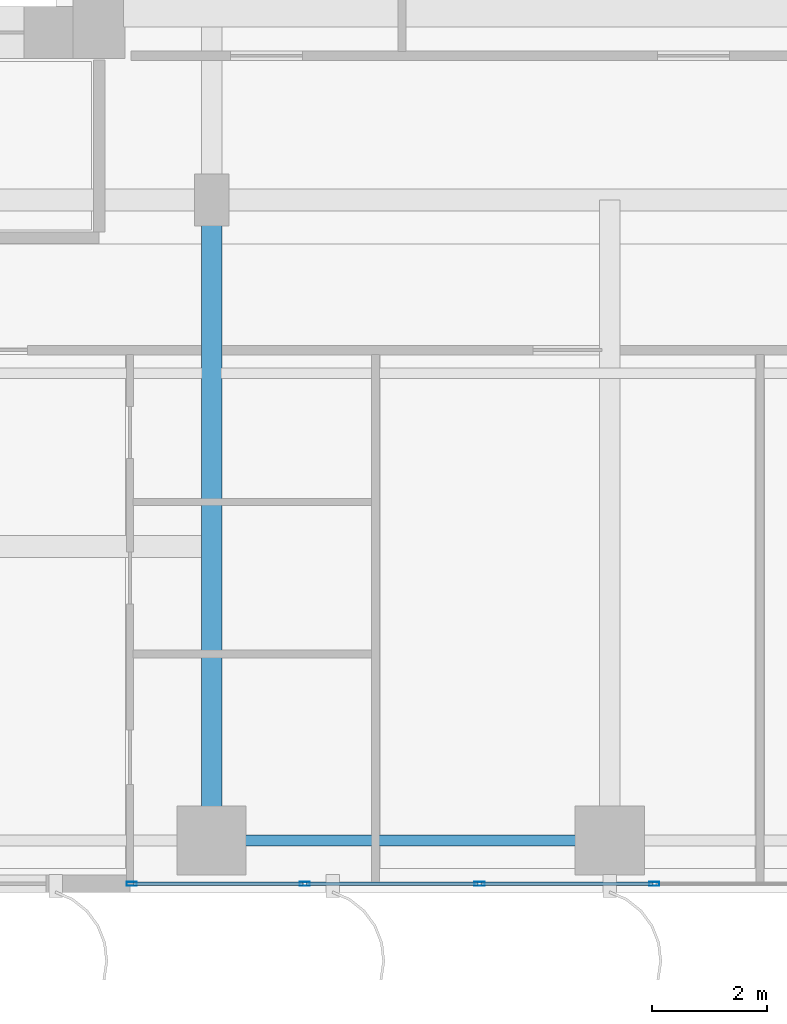
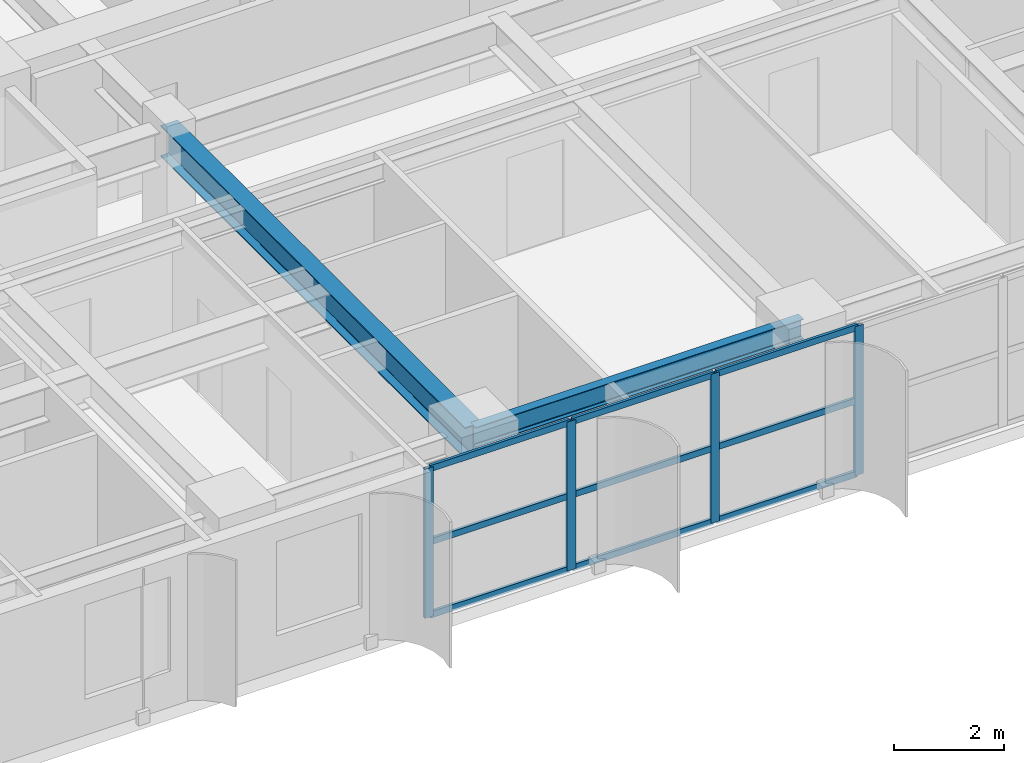
# One storey, part 2 of 23: 13 members, 2 beams, 1 element without a shape of its own.
"""IFC4 building model written with IfcOpenShell, lengths in metres."""

import ifcopenshell
import ifcopenshell.guid

model = None  # the IFC model being written
_history = None  # IfcOwnerHistory: only IFC2X3 demands one
_inside = {}  # id of a spatial element -> (the spatial element, [elements in it])
_under = {}  # id of a project, library or spatial element -> (it, [spatial elements below it])
_declared = {}  # id of a project -> (the project, [libraries it declares])
_typed = {}  # id of a type object -> (the type object, [elements of that type])
_made_of = {}  # id of a material, layer set ... -> (it, [elements and type objects made of it])


def new_model(schema):
    """Start an empty IFC model of exactly this schema.

    Asked for "IFC4X3", IfcOpenShell would pick the latest addendum, in which some entities
    have other attributes; the version numbers below select the first issue.
    IFC2X3 requires an IfcOwnerHistory on every rooted entity: one is made here for all.
    """
    global model, _history
    if schema == "IFC4X3":
        model = ifcopenshell.file(schema_version=(4, 3, 0, 0))
    else:
        model = ifcopenshell.file(schema=schema)
    _inside.clear()
    _under.clear()
    _declared.clear()
    _typed.clear()
    _made_of.clear()
    _history = None
    if model.schema == "IFC2X3":
        org = make("IfcOrganization", Name="unknown")
        user = make(
            "IfcPersonAndOrganization",
            ThePerson=make("IfcPerson", FamilyName="unknown"),
            TheOrganization=org,
        )
        app = make(
            "IfcApplication",
            ApplicationDeveloper=org,
            Version="unknown",
            ApplicationFullName="unknown",
            ApplicationIdentifier="unknown",
        )
        _history = make(
            "IfcOwnerHistory",
            OwningUser=user,
            OwningApplication=app,
            ChangeAction="ADDED",
            CreationDate=0,
        )
    return model


def make(cls, **values):
    """One entity of the class cls with the attributes given. An attribute that is None is left unset."""
    return model.create_entity(
        cls, **{name: value for name, value in values.items() if value is not None}
    )


def rooted(cls, **values):
    """An entity with a GlobalId (a new one), such as an element, a storey or a relation."""
    return make(cls, GlobalId=ifcopenshell.guid.new(), OwnerHistory=_history, **values)


def si_unit(unit_type, name, prefix=None):
    """IfcSIUnit, for example si_unit("LENGTHUNIT", "METRE", prefix="MILLI")."""
    return make("IfcSIUnit", UnitType=unit_type, Prefix=prefix, Name=name)


def assignment(units):
    """IfcUnitAssignment: the units of a project."""
    return None if units is None else make("IfcUnitAssignment", Units=units)


def point(xyz):
    """IfcCartesianPoint."""
    return None if xyz is None else make("IfcCartesianPoint", Coordinates=xyz)


def direction(xyz):
    """IfcDirection."""
    return None if xyz is None else make("IfcDirection", DirectionRatios=xyz)


def frame(location, z_axis=None, x_axis=None):
    """IfcAxis2Placement3D, a coordinate frame: its origin and axes. An axis left out is left unset."""
    return make(
        "IfcAxis2Placement3D",
        Location=point(location),
        Axis=direction(z_axis),
        RefDirection=direction(x_axis),
    )


def frame_2d(location, x_axis=None):
    """IfcAxis2Placement2D, a coordinate frame in the plane: its origin and x axis."""
    return make(
        "IfcAxis2Placement2D", Location=point(location), RefDirection=direction(x_axis)
    )


def origin():
    """The frame at (0, 0, 0) with its axes left unset."""
    return frame((0.0, 0.0, 0.0))


def origin_2d():
    """The frame at (0, 0) in the plane with its x axis left unset."""
    return frame_2d((0.0, 0.0))


def place(relative_to, where):
    """IfcLocalPlacement: puts the frame where relative to a parent placement (None: the world)."""
    return make(
        "IfcLocalPlacement", PlacementRelTo=relative_to, RelativePlacement=where
    )


def context(
    kind, dimensions, precision=None, world=None, true_north=None, identifier=None
):
    """IfcGeometricRepresentationContext, for example the 3D "Model" context."""
    return make(
        "IfcGeometricRepresentationContext",
        ContextIdentifier=identifier,
        ContextType=kind,
        CoordinateSpaceDimension=dimensions,
        Precision=precision,
        WorldCoordinateSystem=world,
        TrueNorth=true_north,
    )


def subcontext(parent, identifier, kind, view, scale=None):
    """IfcGeometricRepresentationSubContext, for example "Body" below "Model"."""
    return make(
        "IfcGeometricRepresentationSubContext",
        ContextIdentifier=identifier,
        ContextType=kind,
        ParentContext=parent,
        TargetScale=scale,
        TargetView=view,
    )


def project(units=None, contexts=None):
    """IfcProject with its units and contexts."""
    return rooted(
        "IfcProject",
        Name="project",
        RepresentationContexts=contexts,
        UnitsInContext=assignment(units),
    )


def spatial(cls, under=None, at=None, **own):
    """A site, building, storey or space (cls), placed at a placement, below another one or the project."""
    s = rooted(cls, ObjectPlacement=at, **own)
    if under is not None:
        _under.setdefault(under.id(), (under, []))[1].append(s)
    return s


def profile(cls, at=None, kind="AREA", **sizes):
    """A parametric profile (cls). Its sizes go by their IFC names, for example OverallWidth=200.0."""
    return make(cls, ProfileType=kind, Position=at, **sizes)


def hollow_rectangle(**sizes):
    """IfcRectangleHollowProfileDef."""
    return profile("IfcRectangleHollowProfileDef", **sizes)


def i_section(**sizes):
    """IfcIShapeProfileDef."""
    return profile("IfcIShapeProfileDef", **sizes)


def extrude(swept, where, along, depth):
    """IfcExtrudedAreaSolid: the profile swept, set in the frame where, extruded along a direction by depth."""
    return make(
        "IfcExtrudedAreaSolid",
        SweptArea=swept,
        Position=where,
        ExtrudedDirection=direction(along),
        Depth=depth,
    )


def shape(context_of_items, identifier, shape_type, items):
    """IfcShapeRepresentation: the items that make up one representation, for example the "Body"."""
    return make(
        "IfcShapeRepresentation",
        ContextOfItems=context_of_items,
        RepresentationIdentifier=identifier,
        RepresentationType=shape_type,
        Items=items,
    )


def source(mapping_origin, context_of_items, identifier, shape_type, items):
    """IfcRepresentationMap: a shape defined once, which mapped items show again and again."""
    return make(
        "IfcRepresentationMap",
        MappingOrigin=mapping_origin,
        MappedRepresentation=shape(context_of_items, identifier, shape_type, items),
    )


def transform(
    local_origin,
    x_axis=None,
    y_axis=None,
    z_axis=None,
    scale=None,
    scale2=None,
    scale3=None,
    uniform=True,
):
    """IfcCartesianTransformationOperator3D, or its non-uniform kind. x_axis, y_axis, z_axis: its Axis1, 2, 3."""
    if uniform:
        return make(
            "IfcCartesianTransformationOperator3D",
            Axis1=direction(x_axis),
            Axis2=direction(y_axis),
            LocalOrigin=point(local_origin),
            Scale=scale,
            Axis3=direction(z_axis),
        )
    return make(
        "IfcCartesianTransformationOperator3DnonUniform",
        Axis1=direction(x_axis),
        Axis2=direction(y_axis),
        LocalOrigin=point(local_origin),
        Scale=scale,
        Axis3=direction(z_axis),
        Scale2=scale2,
        Scale3=scale3,
    )


def mapped(mapping_source, mapping_target):
    """IfcMappedItem: shows the shape of a source again, moved by a transform."""
    return make(
        "IfcMappedItem", MappingSource=mapping_source, MappingTarget=mapping_target
    )


def material(Name=None, Category=None):
    """IfcMaterial."""
    return make("IfcMaterial", Name=Name, Category=Category)


def layer(
    of_material, thickness, ventilated=None, Name=None, Category=None, Priority=None
):
    """IfcMaterialLayer: one layer of a wall or slab, of a material (None: an air gap)."""
    return make(
        "IfcMaterialLayer",
        Material=of_material,
        LayerThickness=thickness,
        IsVentilated=ventilated,
        Name=Name,
        Category=Category,
        Priority=Priority,
    )


def layer_set(layers, Name=None):
    """IfcMaterialLayerSet."""
    return make("IfcMaterialLayerSet", MaterialLayers=layers, LayerSetName=Name)


def material_profile(
    of_material, cross_section, Name=None, Category=None, Priority=None
):
    """IfcMaterialProfile: a cross section and its material."""
    return make(
        "IfcMaterialProfile",
        Name=Name,
        Material=of_material,
        Profile=cross_section,
        Priority=Priority,
        Category=Category,
    )


def profile_set(profiles, Name=None, composite=None):
    """IfcMaterialProfileSet."""
    return make(
        "IfcMaterialProfileSet",
        Name=Name,
        MaterialProfiles=profiles,
        CompositeProfile=composite,
    )


def made_of(thing, what):
    """Note that an element or type object is made of a material, layer set ...; save() writes the relation."""
    if what is not None:
        _made_of.setdefault(what.id(), (what, []))[1].append(thing)
    return thing


def type_object(cls, material=None, **own):
    """A type object (cls), such as IfcWallType, which elements share."""
    return made_of(rooted(cls, **own), material)


def element(
    cls,
    number,
    at=None,
    inside=None,
    cuts=None,
    type_object=None,
    material=None,
    context=None,
    identifier="Body",
    shape_type=None,
    held_by="IfcProductDefinitionShape",
    body=None,
    shapes=None,
    **own,
):
    """One element of the class cls, such as IfcWall. Its Tag is "e" and its number.

    at: its placement. inside: the storey or other place that contains it. cuts: it is an
    opening in that element (IfcRelVoidsElement). A single representation is given by context,
    identifier, shape_type and body (its items); several are given by shapes. held_by: the class
    of the entity that holds the representations. save() writes the other relations.
    """
    e = rooted(cls, Tag="e%d" % number, ObjectPlacement=at, **own)
    if body is not None:
        shapes = [shape(context, identifier, shape_type, body)]
    if shapes is not None:
        e.Representation = make(held_by, Representations=shapes)
    if inside is not None:
        _inside.setdefault(inside.id(), (inside, []))[1].append(e)
    if cuts is not None:
        rooted(
            "IfcRelVoidsElement", RelatingBuildingElement=cuts, RelatedOpeningElement=e
        )
    if type_object is not None:
        _typed.setdefault(type_object.id(), (type_object, []))[1].append(e)
    return made_of(e, material)


def aggregate(whole, parts):
    """IfcRelAggregates: a whole, such as a stair, and the parts it consists of."""
    return rooted("IfcRelAggregates", RelatingObject=whole, RelatedObjects=parts)


def save(model, path):
    """Write the relations noted so far, then the file.

    IfcRelAggregates (storeys below a building ...), IfcRelContainedInSpatialStructure (elements
    in a storey), IfcRelDefinesByType, IfcRelAssociatesMaterial and IfcRelDeclares: one each for
    every whole, place, type object, material and project.
    """
    for whole, parts in _under.values():
        aggregate(whole, parts)
    for where, things in _inside.values():
        rooted(
            "IfcRelContainedInSpatialStructure",
            RelatedElements=things,
            RelatingStructure=where,
        )
    for kind, things in _typed.values():
        rooted("IfcRelDefinesByType", RelatedObjects=things, RelatingType=kind)
    for what, things in _made_of.values():
        rooted("IfcRelAssociatesMaterial", RelatedObjects=things, RelatingMaterial=what)
    for by, libraries in _declared.values():
        rooted("IfcRelDeclares", RelatingContext=by, RelatedDefinitions=libraries)
    model.write(path)


model = new_model("IFC4")

# Units and contexts
model_context = context("Model", 3, precision=1e-05, world=origin(), true_north=direction((0.0, 1.0)))
body_context = subcontext(model_context, "Body", "Model", "MODEL_VIEW")
ifc_project = project(units=[si_unit("LENGTHUNIT", "METRE"), si_unit("AREAUNIT", "SQUARE_METRE"), si_unit("VOLUMEUNIT", "CUBIC_METRE"), si_unit("PLANEANGLEUNIT", "RADIAN"), si_unit("MASSUNIT", "GRAM", prefix="KILO")], contexts=[model_context])

# Site, building, storey
site_placement = place(None, origin())
site = spatial("IfcSite", under=ifc_project, at=site_placement, CompositionType="ELEMENT")
building_placement = place(site_placement, origin())
building = spatial("IfcBuilding", under=site, at=building_placement, Name="Khoralis Quay Care Tower", CompositionType="ELEMENT")
storey_placement = place(building_placement, frame((0.0, 0.0, 33.300048828125)))
storey = spatial("IfcBuildingStorey", under=building, at=storey_placement, Name="L08", CompositionType="ELEMENT", Elevation=33.300048828125)

# Beams
ifc_material_1 = material(Name="Steel S355", Category="steel")
ifc_material_profile_1 = material_profile(ifc_material_1, i_section(OverallWidth=0.18994140625, OverallDepth=0.449951171875, WebThickness=0.009521484375, FlangeThickness=0.0146484375, FilletRadius=0.02099609375, at=origin_2d()), Name="Steel S355")
ifc_profile_set_1 = profile_set([ifc_material_profile_1], Name="Steel S355")
beam_type_1 = type_object("IfcBeamType", Name="BM-IPE450", PredefinedType="SPANDREL", material=ifc_profile_set_1)
shared_shape_1 = source(origin(), body_context, "Body", "SweptSolid", [
    extrude(i_section(OverallWidth=0.18994140625, OverallDepth=0.449951171875, WebThickness=0.009521484375, FlangeThickness=0.0146484375, FilletRadius=0.02099609375, at=origin_2d()), origin(), (0.0, 0.0, 1.0), 6.89990234375),
])
beam_1_placement = place(storey_placement, frame((17.10009765625, 0.89990234375, 3.094970703125), z_axis=(1.0, 0.0, 0.0), x_axis=(0.0, 1.0, 0.0)))
element("IfcBeam", 1, at=beam_1_placement, inside=storey, type_object=beam_type_1, Name="BM-TSP-L08-03", PredefinedType="SPANDREL", context=body_context, shape_type="MappedRepresentation", body=[
    mapped(shared_shape_1, transform((0.0, 0.0, 0.0), scale=1.0)),
])
ifc_material_profile_2 = material_profile(ifc_material_1, i_section(OverallWidth=0.35498046875, OverallDepth=0.695068359375, WebThickness=0.015380859375, FlangeThickness=0.02490234375, FilletRadius=0.02001953125, at=origin_2d()), Name="Steel S355")
ifc_profile_set_2 = profile_set([ifc_material_profile_2], Name="Steel S355")
beam_type_2 = type_object("IfcBeamType", Name="BM-W690X217", PredefinedType="BEAM", material=ifc_profile_set_2)
shared_shape_2 = source(origin(), body_context, "Body", "SweptSolid", [
    extrude(i_section(OverallWidth=0.35498046875, OverallDepth=0.695068359375, WebThickness=0.015380859375, FlangeThickness=0.02490234375, FilletRadius=0.02001953125, at=origin_2d()), origin(), (0.0, 0.0, 1.0), 11.10009765625),
])
beam_2_placement = place(storey_placement, frame((17.10009765625, 0.89990234375, 2.972412109375), z_axis=(0.0, 1.0, 0.0), x_axis=(-1.0, 0.0, 0.0)))
element("IfcBeam", 2, at=beam_2_placement, inside=storey, type_object=beam_type_2, Name="BM-TGYS-L08-171", PredefinedType="BEAM", context=body_context, shape_type="MappedRepresentation", body=[
    mapped(shared_shape_2, transform((0.0, 0.0, 0.0), scale=1.0)),
])

# Curtain wall, members
ifc_material_2 = material(Name="Pale anodised aluminium", Category="aluminium")
ifc_layer = layer(ifc_material_2, 0.179931640625)
ifc_layer_set = layer_set([ifc_layer], Name="Pale anodised aluminium")
curtain_wall_type = type_object("IfcCurtainWallType", Name="CW-SYS-Z1", PredefinedType="NOTDEFINED", material=ifc_layer_set)
curtain_wall_placement = place(storey_placement, origin())
curtain_wall = element("IfcCurtainWall", 3, at=curtain_wall_placement, inside=storey, type_object=curtain_wall_type, Name="L08 Unitised Curtain Wall CW-L08-P1-E0", PredefinedType="NOTDEFINED")
ifc_material_profile_3 = material_profile(ifc_material_2, hollow_rectangle(XDim=0.06494140625, YDim=0.179931640625, WallThickness=0.00390625, at=origin_2d()), Name="Pale anodised aluminium")
ifc_profile_set_3 = profile_set([ifc_material_profile_3], Name="Pale anodised aluminium")
member_type_1 = type_object("IfcMemberType", Name="CW-MUL-180", PredefinedType="MULLION", material=ifc_profile_set_3)
shared_shape_3 = source(origin(), body_context, "Body", "SweptSolid", [
    extrude(hollow_rectangle(XDim=0.06494140625, YDim=0.179931640625, WallThickness=0.00390625, at=origin_2d()), origin(), (0.0, 0.0, 1.0), 3.320068359375),
])
member_1_placement = place(storey_placement, frame((15.717041015625, 0.14990234375, 0.0), z_axis=(0.0, 0.0, 1.0), x_axis=(0.0, 1.0, 0.0)))
member_1 = element("IfcMember", 4, at=member_1_placement, type_object=member_type_1, Name="CW1 mullion 1", PredefinedType="MULLION", context=body_context, shape_type="MappedRepresentation", body=[
    mapped(shared_shape_3, transform((0.0, 0.0, 0.0), scale=1.0)),
])
member_2_placement = place(storey_placement, frame((18.715087890625, 0.14990234375, 0.0), z_axis=(0.0, 0.0, 1.0), x_axis=(0.0, 1.0, 0.0)))
member_2 = element("IfcMember", 5, at=member_2_placement, type_object=member_type_1, Name="CW1 mullion 2", PredefinedType="MULLION", context=body_context, shape_type="MappedRepresentation", body=[
    mapped(shared_shape_3, transform((0.0, 0.0, 0.0), scale=1.0)),
])
member_3_placement = place(storey_placement, frame((21.743408203125, 0.14990234375, 0.0), z_axis=(0.0, 0.0, 1.0), x_axis=(0.0, 1.0, 0.0)))
member_3 = element("IfcMember", 6, at=member_3_placement, type_object=member_type_1, Name="CW1 mullion 3", PredefinedType="MULLION", context=body_context, shape_type="MappedRepresentation", body=[
    mapped(shared_shape_3, transform((0.0, 0.0, 0.0), scale=1.0)),
])
member_4_placement = place(storey_placement, frame((24.771484375, 0.14990234375, 0.0), z_axis=(0.0, 0.0, 1.0), x_axis=(0.0, 1.0, 0.0)))
member_4 = element("IfcMember", 7, at=member_4_placement, type_object=member_type_1, Name="CW1 mullion 4", PredefinedType="MULLION", context=body_context, shape_type="MappedRepresentation", body=[
    mapped(shared_shape_3, transform((0.0, 0.0, 0.0), scale=1.0)),
])
ifc_material_profile_4 = material_profile(ifc_material_2, hollow_rectangle(XDim=0.06005859375, YDim=0.139892578125, WallThickness=0.00390625, at=origin_2d()), Name="Pale anodised aluminium")
ifc_profile_set_4 = profile_set([ifc_material_profile_4], Name="Pale anodised aluminium")
member_type_2 = type_object("IfcMemberType", Name="CW-TRN-140", PredefinedType="USERDEFINED", material=ifc_profile_set_4)
shared_shape_4 = source(origin(), body_context, "Body", "SweptSolid", [
    extrude(hollow_rectangle(XDim=0.06005859375, YDim=0.139892578125, WallThickness=0.00390625, at=origin_2d()), origin(), (0.0, 0.0, 1.0), 2.938232421875),
])
member_5_placement = place(storey_placement, frame((15.7470703125, 0.14990234375, 0.030029296875), z_axis=(1.0, 0.0, 0.0), x_axis=(0.0, 1.0, 0.0)))
member_5 = element("IfcMember", 8, at=member_5_placement, type_object=member_type_2, Name="CW1 transom 1.1", ObjectType="TRANSOM", PredefinedType="USERDEFINED", context=body_context, shape_type="MappedRepresentation", body=[
    mapped(shared_shape_4, transform((0.0, 0.0, 0.0), scale=1.0)),
])
member_6_placement = place(storey_placement, frame((15.7470703125, 0.14990234375, 1.659912109375), z_axis=(1.0, 0.0, 0.0), x_axis=(0.0, 1.0, 0.0)))
member_6 = element("IfcMember", 9, at=member_6_placement, type_object=member_type_2, Name="CW1 transom 1.2", ObjectType="TRANSOM", PredefinedType="USERDEFINED", context=body_context, shape_type="MappedRepresentation", body=[
    mapped(shared_shape_4, transform((0.0, 0.0, 0.0), scale=1.0)),
])
member_7_placement = place(storey_placement, frame((15.7470703125, 0.14990234375, 3.2900390625), z_axis=(1.0, 0.0, 0.0), x_axis=(0.0, 1.0, 0.0)))
member_7 = element("IfcMember", 10, at=member_7_placement, type_object=member_type_2, Name="CW1 transom 1.3", ObjectType="TRANSOM", PredefinedType="USERDEFINED", context=body_context, shape_type="MappedRepresentation", body=[
    mapped(shared_shape_4, transform((0.0, 0.0, 0.0), scale=1.0)),
])
shared_shape_5 = source(origin(), body_context, "Body", "SweptSolid", [
    extrude(hollow_rectangle(XDim=0.06005859375, YDim=0.139892578125, WallThickness=0.00390625, at=origin_2d()), origin(), (0.0, 0.0, 1.0), 2.96826171875),
])
member_8_placement = place(storey_placement, frame((18.7451171875, 0.14990234375, 0.030029296875), z_axis=(1.0, 0.0, 0.0), x_axis=(0.0, 1.0, 0.0)))
member_8 = element("IfcMember", 11, at=member_8_placement, type_object=member_type_2, Name="CW1 transom 2.1", ObjectType="TRANSOM", PredefinedType="USERDEFINED", context=body_context, shape_type="MappedRepresentation", body=[
    mapped(shared_shape_5, transform((0.0, 0.0, 0.0), scale=1.0)),
])
member_9_placement = place(storey_placement, frame((18.7451171875, 0.14990234375, 1.659912109375), z_axis=(1.0, 0.0, 0.0), x_axis=(0.0, 1.0, 0.0)))
member_9 = element("IfcMember", 12, at=member_9_placement, type_object=member_type_2, Name="CW1 transom 2.2", ObjectType="TRANSOM", PredefinedType="USERDEFINED", context=body_context, shape_type="MappedRepresentation", body=[
    mapped(shared_shape_5, transform((0.0, 0.0, 0.0), scale=1.0)),
])
member_10_placement = place(storey_placement, frame((18.7451171875, 0.14990234375, 3.2900390625), z_axis=(1.0, 0.0, 0.0), x_axis=(0.0, 1.0, 0.0)))
member_10 = element("IfcMember", 13, at=member_10_placement, type_object=member_type_2, Name="CW1 transom 2.3", ObjectType="TRANSOM", PredefinedType="USERDEFINED", context=body_context, shape_type="MappedRepresentation", body=[
    mapped(shared_shape_5, transform((0.0, 0.0, 0.0), scale=1.0)),
])
member_11_placement = place(storey_placement, frame((21.7734375, 0.14990234375, 0.030029296875), z_axis=(1.0, 0.0, 0.0), x_axis=(0.0, 1.0, 0.0)))
member_11 = element("IfcMember", 14, at=member_11_placement, type_object=member_type_2, Name="CW1 transom 3.1", ObjectType="TRANSOM", PredefinedType="USERDEFINED", context=body_context, shape_type="MappedRepresentation", body=[
    mapped(shared_shape_5, transform((0.0, 0.0, 0.0), scale=1.0)),
])
member_12_placement = place(storey_placement, frame((21.7734375, 0.14990234375, 1.659912109375), z_axis=(1.0, 0.0, 0.0), x_axis=(0.0, 1.0, 0.0)))
member_12 = element("IfcMember", 15, at=member_12_placement, type_object=member_type_2, Name="CW1 transom 3.2", ObjectType="TRANSOM", PredefinedType="USERDEFINED", context=body_context, shape_type="MappedRepresentation", body=[
    mapped(shared_shape_5, transform((0.0, 0.0, 0.0), scale=1.0)),
])
member_13_placement = place(storey_placement, frame((21.7734375, 0.14990234375, 3.2900390625), z_axis=(1.0, 0.0, 0.0), x_axis=(0.0, 1.0, 0.0)))
member_13 = element("IfcMember", 16, at=member_13_placement, type_object=member_type_2, Name="CW1 transom 3.3", ObjectType="TRANSOM", PredefinedType="USERDEFINED", context=body_context, shape_type="MappedRepresentation", body=[
    mapped(shared_shape_5, transform((0.0, 0.0, 0.0), scale=1.0)),
])
aggregate(curtain_wall, [member_1, member_2, member_3, member_4, member_5, member_6, member_7, member_8, member_9, member_10, member_11, member_12, member_13])

save(model, "model.ifc")
